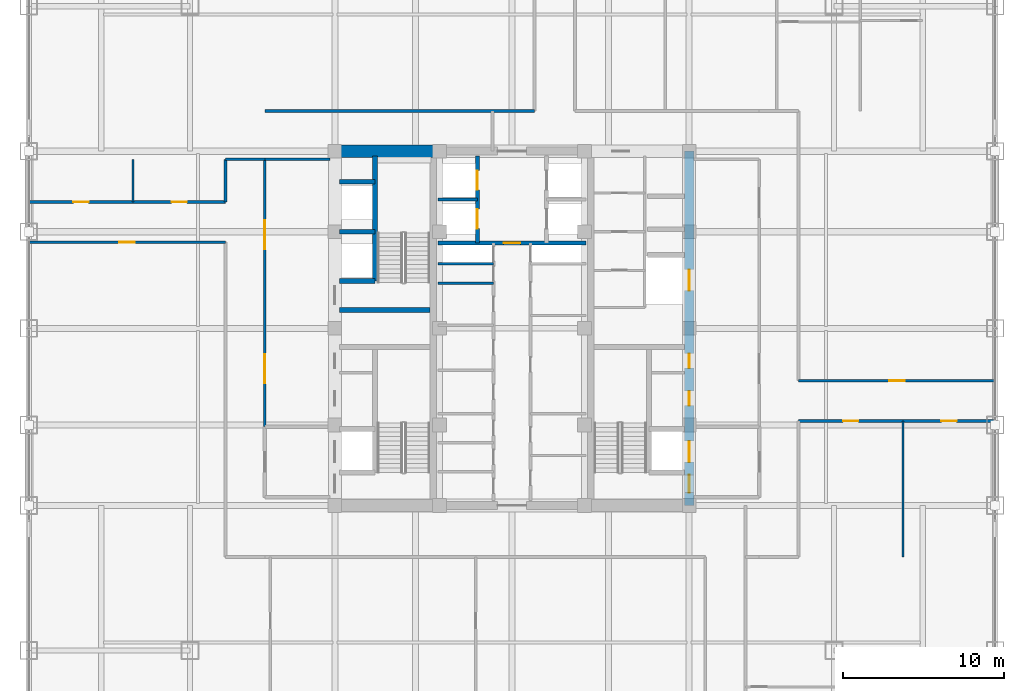
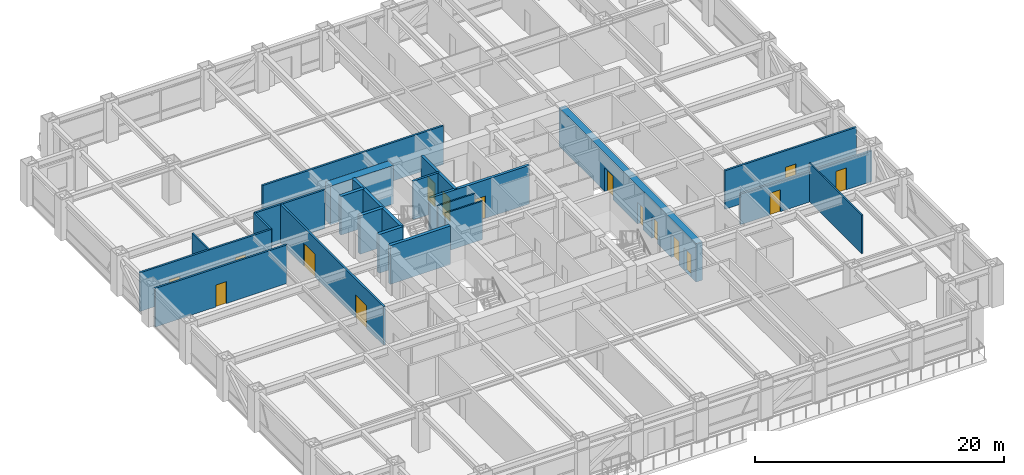
# One storey, part 28 of 35: 23 walls, 16 doors, 16 openings.
"""IFC4 building model written with IfcOpenShell, lengths in metres."""

import ifcopenshell
import ifcopenshell.guid

model = None  # the IFC model being written
_history = None  # IfcOwnerHistory: only IFC2X3 demands one
_inside = {}  # id of a spatial element -> (the spatial element, [elements in it])
_under = {}  # id of a project, library or spatial element -> (it, [spatial elements below it])
_declared = {}  # id of a project -> (the project, [libraries it declares])
_typed = {}  # id of a type object -> (the type object, [elements of that type])
_made_of = {}  # id of a material, layer set ... -> (it, [elements and type objects made of it])


def new_model(schema):
    """Start an empty IFC model of exactly this schema.

    Asked for "IFC4X3", IfcOpenShell would pick the latest addendum, in which some entities
    have other attributes; the version numbers below select the first issue.
    IFC2X3 requires an IfcOwnerHistory on every rooted entity: one is made here for all.
    """
    global model, _history
    if schema == "IFC4X3":
        model = ifcopenshell.file(schema_version=(4, 3, 0, 0))
    else:
        model = ifcopenshell.file(schema=schema)
    _inside.clear()
    _under.clear()
    _declared.clear()
    _typed.clear()
    _made_of.clear()
    _history = None
    if model.schema == "IFC2X3":
        org = make("IfcOrganization", Name="unknown")
        user = make(
            "IfcPersonAndOrganization",
            ThePerson=make("IfcPerson", FamilyName="unknown"),
            TheOrganization=org,
        )
        app = make(
            "IfcApplication",
            ApplicationDeveloper=org,
            Version="unknown",
            ApplicationFullName="unknown",
            ApplicationIdentifier="unknown",
        )
        _history = make(
            "IfcOwnerHistory",
            OwningUser=user,
            OwningApplication=app,
            ChangeAction="ADDED",
            CreationDate=0,
        )
    return model


def make(cls, **values):
    """One entity of the class cls with the attributes given. An attribute that is None is left unset."""
    return model.create_entity(
        cls, **{name: value for name, value in values.items() if value is not None}
    )


def rooted(cls, **values):
    """An entity with a GlobalId (a new one), such as an element, a storey or a relation."""
    return make(cls, GlobalId=ifcopenshell.guid.new(), OwnerHistory=_history, **values)


def si_unit(unit_type, name, prefix=None):
    """IfcSIUnit, for example si_unit("LENGTHUNIT", "METRE", prefix="MILLI")."""
    return make("IfcSIUnit", UnitType=unit_type, Prefix=prefix, Name=name)


def assignment(units):
    """IfcUnitAssignment: the units of a project."""
    return None if units is None else make("IfcUnitAssignment", Units=units)


def point(xyz):
    """IfcCartesianPoint."""
    return None if xyz is None else make("IfcCartesianPoint", Coordinates=xyz)


def direction(xyz):
    """IfcDirection."""
    return None if xyz is None else make("IfcDirection", DirectionRatios=xyz)


def frame(location, z_axis=None, x_axis=None):
    """IfcAxis2Placement3D, a coordinate frame: its origin and axes. An axis left out is left unset."""
    return make(
        "IfcAxis2Placement3D",
        Location=point(location),
        Axis=direction(z_axis),
        RefDirection=direction(x_axis),
    )


def frame_2d(location, x_axis=None):
    """IfcAxis2Placement2D, a coordinate frame in the plane: its origin and x axis."""
    return make(
        "IfcAxis2Placement2D", Location=point(location), RefDirection=direction(x_axis)
    )


def origin():
    """The frame at (0, 0, 0) with its axes left unset."""
    return frame((0.0, 0.0, 0.0))


def place(relative_to, where):
    """IfcLocalPlacement: puts the frame where relative to a parent placement (None: the world)."""
    return make(
        "IfcLocalPlacement", PlacementRelTo=relative_to, RelativePlacement=where
    )


def context(
    kind, dimensions, precision=None, world=None, true_north=None, identifier=None
):
    """IfcGeometricRepresentationContext, for example the 3D "Model" context."""
    return make(
        "IfcGeometricRepresentationContext",
        ContextIdentifier=identifier,
        ContextType=kind,
        CoordinateSpaceDimension=dimensions,
        Precision=precision,
        WorldCoordinateSystem=world,
        TrueNorth=true_north,
    )


def subcontext(parent, identifier, kind, view, scale=None):
    """IfcGeometricRepresentationSubContext, for example "Body" below "Model"."""
    return make(
        "IfcGeometricRepresentationSubContext",
        ContextIdentifier=identifier,
        ContextType=kind,
        ParentContext=parent,
        TargetScale=scale,
        TargetView=view,
    )


def project(units=None, contexts=None):
    """IfcProject with its units and contexts."""
    return rooted(
        "IfcProject",
        Name="project",
        RepresentationContexts=contexts,
        UnitsInContext=assignment(units),
    )


def spatial(cls, under=None, at=None, **own):
    """A site, building, storey or space (cls), placed at a placement, below another one or the project."""
    s = rooted(cls, ObjectPlacement=at, **own)
    if under is not None:
        _under.setdefault(under.id(), (under, []))[1].append(s)
    return s


def profile(cls, at=None, kind="AREA", **sizes):
    """A parametric profile (cls). Its sizes go by their IFC names, for example OverallWidth=200.0."""
    return make(cls, ProfileType=kind, Position=at, **sizes)


def rectangle(**sizes):
    """IfcRectangleProfileDef."""
    return profile("IfcRectangleProfileDef", **sizes)


def extrude(swept, where, along, depth):
    """IfcExtrudedAreaSolid: the profile swept, set in the frame where, extruded along a direction by depth."""
    return make(
        "IfcExtrudedAreaSolid",
        SweptArea=swept,
        Position=where,
        ExtrudedDirection=direction(along),
        Depth=depth,
    )


def shape(context_of_items, identifier, shape_type, items):
    """IfcShapeRepresentation: the items that make up one representation, for example the "Body"."""
    return make(
        "IfcShapeRepresentation",
        ContextOfItems=context_of_items,
        RepresentationIdentifier=identifier,
        RepresentationType=shape_type,
        Items=items,
    )


def source(mapping_origin, context_of_items, identifier, shape_type, items):
    """IfcRepresentationMap: a shape defined once, which mapped items show again and again."""
    return make(
        "IfcRepresentationMap",
        MappingOrigin=mapping_origin,
        MappedRepresentation=shape(context_of_items, identifier, shape_type, items),
    )


def transform(
    local_origin,
    x_axis=None,
    y_axis=None,
    z_axis=None,
    scale=None,
    scale2=None,
    scale3=None,
    uniform=True,
):
    """IfcCartesianTransformationOperator3D, or its non-uniform kind. x_axis, y_axis, z_axis: its Axis1, 2, 3."""
    if uniform:
        return make(
            "IfcCartesianTransformationOperator3D",
            Axis1=direction(x_axis),
            Axis2=direction(y_axis),
            LocalOrigin=point(local_origin),
            Scale=scale,
            Axis3=direction(z_axis),
        )
    return make(
        "IfcCartesianTransformationOperator3DnonUniform",
        Axis1=direction(x_axis),
        Axis2=direction(y_axis),
        LocalOrigin=point(local_origin),
        Scale=scale,
        Axis3=direction(z_axis),
        Scale2=scale2,
        Scale3=scale3,
    )


def mapped(mapping_source, mapping_target):
    """IfcMappedItem: shows the shape of a source again, moved by a transform."""
    return make(
        "IfcMappedItem", MappingSource=mapping_source, MappingTarget=mapping_target
    )


def material(Name=None, Category=None):
    """IfcMaterial."""
    return make("IfcMaterial", Name=Name, Category=Category)


def layer(
    of_material, thickness, ventilated=None, Name=None, Category=None, Priority=None
):
    """IfcMaterialLayer: one layer of a wall or slab, of a material (None: an air gap)."""
    return make(
        "IfcMaterialLayer",
        Material=of_material,
        LayerThickness=thickness,
        IsVentilated=ventilated,
        Name=Name,
        Category=Category,
        Priority=Priority,
    )


def layer_set(layers, Name=None):
    """IfcMaterialLayerSet."""
    return make("IfcMaterialLayerSet", MaterialLayers=layers, LayerSetName=Name)


def made_of(thing, what):
    """Note that an element or type object is made of a material, layer set ...; save() writes the relation."""
    if what is not None:
        _made_of.setdefault(what.id(), (what, []))[1].append(thing)
    return thing


def type_object(cls, material=None, **own):
    """A type object (cls), such as IfcWallType, which elements share."""
    return made_of(rooted(cls, **own), material)


def element(
    cls,
    number,
    at=None,
    inside=None,
    cuts=None,
    type_object=None,
    material=None,
    context=None,
    identifier="Body",
    shape_type=None,
    held_by="IfcProductDefinitionShape",
    body=None,
    shapes=None,
    **own,
):
    """One element of the class cls, such as IfcWall. Its Tag is "e" and its number.

    at: its placement. inside: the storey or other place that contains it. cuts: it is an
    opening in that element (IfcRelVoidsElement). A single representation is given by context,
    identifier, shape_type and body (its items); several are given by shapes. held_by: the class
    of the entity that holds the representations. save() writes the other relations.
    """
    e = rooted(cls, Tag="e%d" % number, ObjectPlacement=at, **own)
    if body is not None:
        shapes = [shape(context, identifier, shape_type, body)]
    if shapes is not None:
        e.Representation = make(held_by, Representations=shapes)
    if inside is not None:
        _inside.setdefault(inside.id(), (inside, []))[1].append(e)
    if cuts is not None:
        rooted(
            "IfcRelVoidsElement", RelatingBuildingElement=cuts, RelatedOpeningElement=e
        )
    if type_object is not None:
        _typed.setdefault(type_object.id(), (type_object, []))[1].append(e)
    return made_of(e, material)


def fill(opening, filler):
    """IfcRelFillsElement: the door or window that sits in an opening."""
    return rooted(
        "IfcRelFillsElement",
        RelatingOpeningElement=opening,
        RelatedBuildingElement=filler,
    )


def aggregate(whole, parts):
    """IfcRelAggregates: a whole, such as a stair, and the parts it consists of."""
    return rooted("IfcRelAggregates", RelatingObject=whole, RelatedObjects=parts)


def save(model, path):
    """Write the relations noted so far, then the file.

    IfcRelAggregates (storeys below a building ...), IfcRelContainedInSpatialStructure (elements
    in a storey), IfcRelDefinesByType, IfcRelAssociatesMaterial and IfcRelDeclares: one each for
    every whole, place, type object, material and project.
    """
    for whole, parts in _under.values():
        aggregate(whole, parts)
    for where, things in _inside.values():
        rooted(
            "IfcRelContainedInSpatialStructure",
            RelatedElements=things,
            RelatingStructure=where,
        )
    for kind, things in _typed.values():
        rooted("IfcRelDefinesByType", RelatedObjects=things, RelatingType=kind)
    for what, things in _made_of.values():
        rooted("IfcRelAssociatesMaterial", RelatedObjects=things, RelatingMaterial=what)
    for by, libraries in _declared.values():
        rooted("IfcRelDeclares", RelatingContext=by, RelatedDefinitions=libraries)
    model.write(path)


model = new_model("IFC4")

# Units and contexts
model_context = context("Model", 3, precision=1e-05, world=origin(), true_north=direction((0.0, 1.0)))
body_context = subcontext(model_context, "Body", "Model", "MODEL_VIEW")
ifc_project = project(units=[si_unit("LENGTHUNIT", "METRE"), si_unit("AREAUNIT", "SQUARE_METRE"), si_unit("VOLUMEUNIT", "CUBIC_METRE"), si_unit("PLANEANGLEUNIT", "RADIAN"), si_unit("MASSUNIT", "GRAM", prefix="KILO")], contexts=[model_context])

# Site, building, storey
site_placement = place(None, origin())
site = spatial("IfcSite", under=ifc_project, at=site_placement, CompositionType="ELEMENT")
building_placement = place(site_placement, origin())
building = spatial("IfcBuilding", under=site, at=building_placement, Name="Khorayat Bourse Tower", CompositionType="ELEMENT")
storey_placement = place(building_placement, frame((0.0, 0.0, 155.10009765625)))
storey = spatial("IfcBuildingStorey", under=building, at=storey_placement, Name="L35", CompositionType="ELEMENT", Elevation=155.10009765625)

# Wall, openings, doors
ifc_material_1 = material(Name="Concrete C60/75", Category="concrete")
ifc_layer_1 = layer(ifc_material_1, 0.60009765625)
ifc_layer_set_1 = layer_set([ifc_layer_1], Name="Concrete C60/75")
wall_type_1 = type_object("IfcWallType", Name="WAL-CORE-600", PredefinedType="SHEAR", material=ifc_layer_set_1)
shared_shape_1 = source(origin(), body_context, "Body", "SweptSolid", [
    extrude(rectangle(XDim=22.0, YDim=0.60009765625, at=frame_2d((11.0, 0.0))), origin(), (0.0, 0.0, 1.0), 3.77978515625),
])
wall_1_placement = place(storey_placement, frame((11.0, -11.0, 0.0), z_axis=(0.0, 0.0, 1.0), x_axis=(0.0, 1.0, 0.0)))
wall_1 = element("IfcWall", 1, at=wall_1_placement, inside=storey, type_object=wall_type_1, Name="L35 Core Shear Wall CORE-E", PredefinedType="SHEAR", context=body_context, shape_type="MappedRepresentation", body=[
    mapped(shared_shape_1, transform((0.0, 0.0, 0.0), scale=1.0)),
])
shared_shape_2 = source(origin(), body_context, "Body", "SweptSolid", [
    extrude(rectangle(XDim=1.10009765625, YDim=2.199951171875, at=frame_2d((0.550048828125, 1.10009765625))), frame((0.0, 0.31005859375, 0.0), z_axis=(0.0, -1.0, 0.0), x_axis=(1.0, 0.0, 0.0)), (0.0, 0.0, 1.0), 0.6201171875),
])
opening_1_placement = place(wall_1_placement, frame((0.800048828125, 0.0, 0.0)))
opening_1 = element("IfcOpeningElement", 2, at=opening_1_placement, cuts=wall_1, Name="Opening DI-01", PredefinedType="OPENING", context=body_context, shape_type="MappedRepresentation", body=[
    mapped(shared_shape_2, transform((0.0, 0.0, 0.0), scale=1.0)),
])
shared_shape_3 = source(origin(), body_context, "Body", "SweptSolid", [
    extrude(rectangle(XDim=0.89990234375, YDim=2.14990234375, at=frame_2d((0.449951171875, 1.074951171875))), frame((0.0, 0.31005859375, 0.0), z_axis=(0.0, -1.0, 0.0), x_axis=(1.0, 0.0, 0.0)), (0.0, 0.0, 1.0), 0.6201171875),
])
opening_2_placement = place(wall_1_placement, frame((6.199951171875, 0.0, 0.0)))
opening_2 = element("IfcOpeningElement", 3, at=opening_2_placement, cuts=wall_1, Name="Opening DI-06", PredefinedType="OPENING", context=body_context, shape_type="MappedRepresentation", body=[
    mapped(shared_shape_3, transform((0.0, 0.0, 0.0), scale=1.0)),
])
opening_3_placement = place(wall_1_placement, frame((8.52490234375, 0.0, 0.0)))
opening_3 = element("IfcOpeningElement", 4, at=opening_3_placement, cuts=wall_1, Name="Opening DI-06", PredefinedType="OPENING", context=body_context, shape_type="MappedRepresentation", body=[
    mapped(shared_shape_3, transform((0.0, 0.0, 0.0), scale=1.0)),
])
shared_shape_4 = source(origin(), body_context, "Body", "SweptSolid", [
    extrude(rectangle(XDim=1.300048828125, YDim=2.300048828125, at=frame_2d((0.64990234375, 1.14990234375))), frame((0.0, 0.31005859375, 0.0), z_axis=(0.0, -1.0, 0.0), x_axis=(1.0, 0.0, 0.0)), (0.0, 0.0, 1.0), 0.6201171875),
])
opening_4_placement = place(wall_1_placement, frame((2.699951171875, 0.0, 0.0)))
opening_4 = element("IfcOpeningElement", 5, at=opening_4_placement, cuts=wall_1, Name="Opening LD-02", PredefinedType="OPENING", context=body_context, shape_type="MappedRepresentation", body=[
    mapped(shared_shape_4, transform((0.0, 0.0, 0.0), scale=1.0)),
])
opening_5_placement = place(wall_1_placement, frame((13.35009765625, 0.0, 0.0)))
opening_5 = element("IfcOpeningElement", 6, at=opening_5_placement, cuts=wall_1, Name="Opening LD-02", PredefinedType="OPENING", context=body_context, shape_type="MappedRepresentation", body=[
    mapped(shared_shape_4, transform((0.0, 0.0, 0.0), scale=1.0)),
])
ifc_material_2 = material(Name="Fire-rated steel acoustic leaf", Category="steel")
door_type_1 = type_object("IfcDoorType", Name="DR-INT-STAIR-1100", OperationType="NOTDEFINED", PredefinedType="DOOR", material=ifc_material_2)
shared_shape_5 = source(origin(), body_context, "Body", "SweptSolid", [
    extrude(rectangle(XDim=1.10009765625, YDim=2.199951171875, at=frame_2d((0.550048828125, 1.10009765625))), frame((0.0, 0.02490234375, 0.0), z_axis=(0.0, -1.0, 0.0), x_axis=(1.0, 0.0, 0.0)), (0.0, 0.0, 1.0), 0.050048828125),
])
door_1_placement = place(opening_1_placement, origin())
door_1 = element("IfcDoor", 7, at=door_1_placement, inside=storey, type_object=door_type_1, Name="L35 Exit Stair 3 Door", OperationType="SINGLE_SWING_LEFT", OverallHeight=2.199951171875, OverallWidth=1.10009765625, PredefinedType="DOOR", context=body_context, shape_type="MappedRepresentation", body=[
    mapped(shared_shape_5, transform((0.0, 0.0, 0.0), scale=1.0)),
])
fill(opening_1, door_1)
ifc_material_3 = material(Name="Moisture-resistant laminate washroom door")
door_type_2 = type_object("IfcDoorType", Name="DR-INT-WC-900", OperationType="NOTDEFINED", PredefinedType="DOOR", material=ifc_material_3)
shared_shape_6 = source(origin(), body_context, "Body", "SweptSolid", [
    extrude(rectangle(XDim=0.89990234375, YDim=2.14990234375, at=frame_2d((0.449951171875, 1.074951171875))), frame((0.0, 0.02490234375, 0.0), z_axis=(0.0, -1.0, 0.0), x_axis=(1.0, 0.0, 0.0)), (0.0, 0.0, 1.0), 0.050048828125),
])
door_2_placement = place(opening_2_placement, origin())
door_2 = element("IfcDoor", 8, at=door_2_placement, inside=storey, type_object=door_type_2, Name="L35 Telecom Closet Door", OperationType="SINGLE_SWING_LEFT", OverallHeight=2.14990234375, OverallWidth=0.89990234375, PredefinedType="DOOR", context=body_context, shape_type="MappedRepresentation", body=[
    mapped(shared_shape_6, transform((0.0, 0.0, 0.0), scale=1.0)),
])
fill(opening_2, door_2)
door_3_placement = place(opening_3_placement, origin())
door_3 = element("IfcDoor", 9, at=door_3_placement, inside=storey, type_object=door_type_2, Name="L35 Stationery Store Door", OperationType="SINGLE_SWING_RIGHT", OverallHeight=2.14990234375, OverallWidth=0.89990234375, PredefinedType="DOOR", context=body_context, shape_type="MappedRepresentation", body=[
    mapped(shared_shape_6, transform((0.0, 0.0, 0.0), scale=1.0)),
])
fill(opening_3, door_3)
ifc_material_4 = material(Name="Fire-rated stainless-steel sliding landing door", Category="steel")
door_type_3 = type_object("IfcDoorType", Name="DR-LIFT-FF-1300", OperationType="NOTDEFINED", PredefinedType="DOOR", material=ifc_material_4)
shared_shape_7 = source(origin(), body_context, "Body", "SweptSolid", [
    extrude(rectangle(XDim=1.300048828125, YDim=2.300048828125, at=frame_2d((0.64990234375, 1.14990234375))), frame((0.0, 0.02490234375, 0.0), z_axis=(0.0, -1.0, 0.0), x_axis=(1.0, 0.0, 0.0)), (0.0, 0.0, 1.0), 0.050048828125),
])
door_4_placement = place(opening_4_placement, origin())
door_4 = element("IfcDoor", 10, at=door_4_placement, inside=storey, type_object=door_type_3, Name="L35 Lift FFL-02 Sliding Landing Door", OperationType="SLIDING_TO_LEFT", OverallHeight=2.300048828125, OverallWidth=1.300048828125, PredefinedType="DOOR", context=body_context, shape_type="MappedRepresentation", body=[
    mapped(shared_shape_7, transform((0.0, 0.0, 0.0), scale=1.0)),
])
fill(opening_4, door_4)
door_5_placement = place(opening_5_placement, origin())
door_5 = element("IfcDoor", 11, at=door_5_placement, inside=storey, type_object=door_type_3, Name="L35 Lift SVL-01 Sliding Landing Door", OperationType="SLIDING_TO_LEFT", OverallHeight=2.300048828125, OverallWidth=1.300048828125, PredefinedType="DOOR", context=body_context, shape_type="MappedRepresentation", body=[
    mapped(shared_shape_7, transform((0.0, 0.0, 0.0), scale=1.0)),
])
fill(opening_5, door_5)

# Walls
ifc_material_5 = material(Name="Concrete C72/90", Category="concrete")
ifc_layer_2 = layer(ifc_material_5, 0.75)
ifc_layer_set_2 = layer_set([ifc_layer_2], Name="Concrete C72/90")
wall_type_2 = type_object("IfcWallType", Name="WAL-CORE-750", PredefinedType="SHEAR", material=ifc_layer_set_2)
shared_shape_8 = source(origin(), body_context, "Body", "SweptSolid", [
    extrude(rectangle(XDim=5.849853515625, YDim=0.75, at=frame_2d((2.9248046875, 0.0))), origin(), (0.0, 0.0, 1.0), 3.77978515625),
])
wall_2_placement = place(storey_placement, frame((-10.699951171875, 11.0, 0.0), z_axis=(0.0, 0.0, 1.0), x_axis=(1.0, 0.0, 0.0)))
element("IfcWall", 12, at=wall_2_placement, inside=storey, type_object=wall_type_2, Name="L35 Core Shear Wall PIER-WN", PredefinedType="SHEAR", context=body_context, shape_type="MappedRepresentation", body=[
    mapped(shared_shape_8, transform((0.0, 0.0, 0.0), scale=1.0)),
])
ifc_material_6 = material(Name="Concrete C50/60", Category="concrete")
ifc_layer_3 = layer(ifc_material_6, 0.300048828125)
ifc_layer_set_3 = layer_set([ifc_layer_3], Name="Concrete C50/60")
wall_type_3 = type_object("IfcWallType", Name="WAL-SHAFT-300", PredefinedType="SHEAR", material=ifc_layer_set_3)
shared_shape_9 = source(origin(), body_context, "Body", "SweptSolid", [
    extrude(rectangle(XDim=5.599853515625, YDim=0.300048828125, at=frame_2d((2.7998046875, 0.0))), origin(), (0.0, 0.0, 1.0), 3.77978515625),
])
wall_3_placement = place(storey_placement, frame((-10.699951171875, 1.14990234375, 0.0), z_axis=(0.0, 0.0, 1.0), x_axis=(1.0, 0.0, 0.0)))
element("IfcWall", 13, at=wall_3_placement, inside=storey, type_object=wall_type_3, Name="L35 Core Shear Wall ST2-DIV", PredefinedType="SHEAR", context=body_context, shape_type="MappedRepresentation", body=[
    mapped(shared_shape_9, transform((0.0, 0.0, 0.0), scale=1.0)),
])
shared_shape_10 = source(origin(), body_context, "Body", "SweptSolid", [
    extrude(rectangle(XDim=2.199951171875, YDim=0.300048828125, at=frame_2d((1.10009765625, 0.0))), origin(), (0.0, 0.0, 1.0), 3.77978515625),
])
for number, where, z_axis, x_axis, name in (
    (14, (-10.699951171875, 2.949951171875, 0.0), (0.0, 0.0, 1.0), (1.0, 0.0, 0.0), "L35 Partition WAL-L35-WPIER-H1S"),
    (15, (-10.699951171875, 6.0, 0.0), (0.0, 0.0, 1.0), (1.0, 0.0, 0.0), "L35 Partition WAL-L35-WPIER-H12"),
    (16, (-10.699951171875, 9.10009765625, 0.0), (0.0, 0.0, 1.0), (1.0, 0.0, 0.0), "L35 Partition WAL-L35-WPIER-H2N"),
):
    element("IfcWall", number, at=place(storey_placement, frame(where, z_axis=z_axis, x_axis=x_axis)), inside=storey, type_object=wall_type_3, Name=name, PredefinedType="SHEAR", context=body_context, shape_type="MappedRepresentation", body=[
        mapped(shared_shape_10, transform((0.0, 0.0, 0.0), scale=1.0)),
    ])
shared_shape_11 = source(origin(), body_context, "Body", "SweptSolid", [
    extrude(rectangle(XDim=7.75, YDim=0.300048828125, at=frame_2d((3.875, 0.0))), origin(), (0.0, 0.0, 1.0), 3.77978515625),
])
wall_4_placement = place(storey_placement, frame((-8.5, 2.949951171875, 0.0), z_axis=(0.0, 0.0, 1.0), x_axis=(0.0, 1.0, 0.0)))
element("IfcWall", 17, at=wall_4_placement, inside=storey, type_object=wall_type_3, Name="L35 Partition WAL-L35-WPIER-ST2S", PredefinedType="SHEAR", context=body_context, shape_type="MappedRepresentation", body=[
    mapped(shared_shape_11, transform((0.0, 0.0, 0.0), scale=1.0)),
])
ifc_material_7 = material(Name="Gypsum plasterboard acoustic stud wall")
ifc_layer_4 = layer(ifc_material_7, 0.179931640625)
ifc_layer_set_4 = layer_set([ifc_layer_4], Name="Gypsum plasterboard acoustic stud wall")
wall_type_4 = type_object("IfcWallType", Name="WAL-PART-CORR-180", PredefinedType="PARTITIONING", material=ifc_layer_set_4)
shared_shape_12 = source(origin(), body_context, "Body", "SweptSolid", [
    extrude(rectangle(XDim=4.050048828125, YDim=0.179931640625, at=frame_2d((2.02490234375, 0.0))), origin(), (0.0, 0.0, 1.0), 3.77978515625),
])
wall_5_placement = place(storey_placement, frame((-15.35009765625, 10.5, 0.0), z_axis=(0.0, 0.0, 1.0), x_axis=(1.0, 0.0, 0.0)))
element("IfcWall", 18, at=wall_5_placement, inside=storey, type_object=wall_type_4, Name="L35 Partition WAL-L35-WLOB-N", PredefinedType="PARTITIONING", context=body_context, shape_type="MappedRepresentation", body=[
    mapped(shared_shape_12, transform((0.0, 0.0, 0.0), scale=1.0)),
])

# Wall, openings, doors
shared_shape_13 = source(origin(), body_context, "Body", "SweptSolid", [
    extrude(rectangle(XDim=16.60009765625, YDim=0.179931640625, at=frame_2d((8.300048828125, 0.0))), origin(), (0.0, 0.0, 1.0), 3.77978515625),
])
wall_6_placement = place(storey_placement, frame((-15.35009765625, -6.10009765625, 0.0), z_axis=(0.0, 0.0, 1.0), x_axis=(0.0, 1.0, 0.0)))
wall_6 = element("IfcWall", 19, at=wall_6_placement, inside=storey, type_object=wall_type_4, Name="L35 Partition WAL-L35-WLOB-W", PredefinedType="PARTITIONING", context=body_context, shape_type="MappedRepresentation", body=[
    mapped(shared_shape_13, transform((0.0, 0.0, 0.0), scale=1.0)),
])
shared_shape_14 = source(origin(), body_context, "Body", "SweptSolid", [
    extrude(rectangle(XDim=1.800048828125, YDim=2.25, at=frame_2d((0.89990234375, 1.125))), frame((0.0, 0.099853515625, 0.0), z_axis=(0.0, -1.0, 0.0), x_axis=(1.0, 0.0, 0.0)), (0.0, 0.0, 1.0), 0.199951171875),
])
opening_6_placement = place(wall_6_placement, frame((2.699951171875, 0.0, 0.0)))
opening_6 = element("IfcOpeningElement", 20, at=opening_6_placement, cuts=wall_6, Name="Opening DI-03", PredefinedType="OPENING", context=body_context, shape_type="MappedRepresentation", body=[
    mapped(shared_shape_14, transform((0.0, 0.0, 0.0), scale=1.0)),
])
opening_7_placement = place(wall_6_placement, frame((11.0, 0.0, 0.0)))
opening_7 = element("IfcOpeningElement", 21, at=opening_7_placement, cuts=wall_6, Name="Opening DI-03", PredefinedType="OPENING", context=body_context, shape_type="MappedRepresentation", body=[
    mapped(shared_shape_14, transform((0.0, 0.0, 0.0), scale=1.0)),
])
ifc_material_8 = material(Name="Fire-rated hardwood vision-panel double leaf", Category="wood")
door_type_4 = type_object("IfcDoorType", Name="DR-INT-CORR-1800", OperationType="NOTDEFINED", PredefinedType="DOOR", material=ifc_material_8)
shared_shape_15 = source(origin(), body_context, "Body", "SweptSolid", [
    extrude(rectangle(XDim=1.800048828125, YDim=2.25, at=frame_2d((0.89990234375, 1.125))), frame((0.0, 0.02490234375, 0.0), z_axis=(0.0, -1.0, 0.0), x_axis=(1.0, 0.0, 0.0)), (0.0, 0.0, 1.0), 0.050048828125),
])
door_6_placement = place(opening_6_placement, origin())
door_6 = element("IfcDoor", 22, at=door_6_placement, inside=storey, type_object=door_type_4, Name="L35 West Core Lobby South Door", OperationType="SINGLE_SWING_LEFT", OverallHeight=2.25, OverallWidth=1.800048828125, PredefinedType="DOOR", context=body_context, shape_type="MappedRepresentation", body=[
    mapped(shared_shape_15, transform((0.0, 0.0, 0.0), scale=1.0)),
])
fill(opening_6, door_6)
door_7_placement = place(opening_7_placement, origin())
door_7 = element("IfcDoor", 23, at=door_7_placement, inside=storey, type_object=door_type_4, Name="L35 West Core Lobby North Door", OperationType="SINGLE_SWING_RIGHT", OverallHeight=2.25, OverallWidth=1.800048828125, PredefinedType="DOOR", context=body_context, shape_type="MappedRepresentation", body=[
    mapped(shared_shape_15, transform((0.0, 0.0, 0.0), scale=1.0)),
])
fill(opening_7, door_7)

# Walls
ifc_material_9 = material(Name="Gypsum plasterboard twin-frame partition")
ifc_layer_5 = layer(ifc_material_9, 0.14990234375)
ifc_layer_set_5 = layer_set([ifc_layer_5], Name="Gypsum plasterboard twin-frame partition")
wall_type_5 = type_object("IfcWallType", Name="WAL-PART-SUITE-150", PredefinedType="PARTITIONING", material=ifc_layer_set_5)
shared_shape_16 = source(origin(), body_context, "Body", "SweptSolid", [
    extrude(rectangle(XDim=3.4501953125, YDim=0.14990234375, at=frame_2d((1.72509765625, 0.0))), origin(), (0.0, 0.0, 1.0), 3.77978515625),
])
wall_7_placement = place(storey_placement, frame((-4.60009765625, 4.0, 0.0), z_axis=(0.0, 0.0, 1.0), x_axis=(1.0, 0.0, 0.0)))
element("IfcWall", 24, at=wall_7_placement, inside=storey, type_object=wall_type_5, Name="L35 Partition WAL-L35-CRSW-S", PredefinedType="PARTITIONING", context=body_context, shape_type="MappedRepresentation", body=[
    mapped(shared_shape_16, transform((0.0, 0.0, 0.0), scale=1.0)),
])
ifc_material_10 = material(Name="Moisture-resistant masonry partition", Category="masonry")
ifc_layer_6 = layer(ifc_material_10, 0.139892578125)
ifc_layer_set_6 = layer_set([ifc_layer_6], Name="Moisture-resistant masonry partition")
wall_type_6 = type_object("IfcWallType", Name="WAL-PART-WET-140", PredefinedType="PARTITIONING", material=ifc_layer_set_6)
shared_shape_17 = source(origin(), body_context, "Body", "SweptSolid", [
    extrude(rectangle(XDim=3.4501953125, YDim=0.139892578125, at=frame_2d((1.72509765625, 0.0))), origin(), (0.0, 0.0, 1.0), 3.77978515625),
])
wall_8_placement = place(storey_placement, frame((-4.60009765625, 2.800048828125, 0.0), z_axis=(0.0, 0.0, 1.0), x_axis=(1.0, 0.0, 0.0)))
element("IfcWall", 25, at=wall_8_placement, inside=storey, type_object=wall_type_6, Name="L35 Partition WAL-L35-CMW-D3", PredefinedType="PARTITIONING", context=body_context, shape_type="MappedRepresentation", body=[
    mapped(shared_shape_17, transform((0.0, 0.0, 0.0), scale=1.0)),
])

# Wall, openings, doors
shared_shape_18 = source(origin(), body_context, "Body", "SweptSolid", [
    extrude(rectangle(XDim=5.39990234375, YDim=0.25, at=frame_2d((2.699951171875, 0.0))), origin(), (0.0, 0.0, 1.0), 3.77978515625),
])
wall_9_placement = place(storey_placement, frame((-2.14990234375, 5.300048828125, 0.0), z_axis=(0.0, 0.0, 1.0), x_axis=(0.0, 1.0, 0.0)))
wall_9 = element("IfcWall", 26, at=wall_9_placement, inside=storey, type_object=wall_type_3, Name="L35 Partition WAL-L35-B2-W", PredefinedType="SHEAR", context=body_context, shape_type="MappedRepresentation", body=[
    mapped(shared_shape_18, transform((0.0, 0.0, 0.0), scale=1.0)),
])
shared_shape_19 = source(origin(), body_context, "Body", "SweptSolid", [
    extrude(rectangle(XDim=1.199951171875, YDim=2.300048828125, at=frame_2d((0.60009765625, 1.14990234375))), frame((0.0, 0.135009765625, 0.0), z_axis=(0.0, -1.0, 0.0), x_axis=(1.0, 0.0, 0.0)), (0.0, 0.0, 1.0), 0.27001953125),
])
opening_8_placement = place(wall_9_placement, frame((3.300048828125, 0.0, 0.0)))
opening_8 = element("IfcOpeningElement", 27, at=opening_8_placement, cuts=wall_9, Name="Opening LD-01", PredefinedType="OPENING", context=body_context, shape_type="MappedRepresentation", body=[
    mapped(shared_shape_19, transform((0.0, 0.0, 0.0), scale=1.0)),
])
opening_9_placement = place(wall_9_placement, frame((0.89990234375, 0.0, 0.0)))
opening_9 = element("IfcOpeningElement", 28, at=opening_9_placement, cuts=wall_9, Name="Opening LD-01", PredefinedType="OPENING", context=body_context, shape_type="MappedRepresentation", body=[
    mapped(shared_shape_19, transform((0.0, 0.0, 0.0), scale=1.0)),
])
ifc_material_11 = material(Name="Brushed bronze stainless-steel sliding door", Category="steel")
door_type_5 = type_object("IfcDoorType", Name="DR-LIFT-PASS-1200", OperationType="NOTDEFINED", PredefinedType="DOOR", material=ifc_material_11)
shared_shape_20 = source(origin(), body_context, "Body", "SweptSolid", [
    extrude(rectangle(XDim=1.199951171875, YDim=2.300048828125, at=frame_2d((0.60009765625, 1.14990234375))), frame((0.0, 0.02490234375, 0.0), z_axis=(0.0, -1.0, 0.0), x_axis=(1.0, 0.0, 0.0)), (0.0, 0.0, 1.0), 0.050048828125),
])
door_8_placement = place(opening_8_placement, origin())
door_8 = element("IfcDoor", 29, at=door_8_placement, inside=storey, type_object=door_type_5, Name="L35 Lift PL-M1 Sliding Landing Door", OperationType="SLIDING_TO_LEFT", OverallHeight=2.300048828125, OverallWidth=1.199951171875, PredefinedType="DOOR", context=body_context, shape_type="MappedRepresentation", body=[
    mapped(shared_shape_20, transform((0.0, 0.0, 0.0), scale=1.0)),
])
fill(opening_8, door_8)
door_9_placement = place(opening_9_placement, origin())
door_9 = element("IfcDoor", 30, at=door_9_placement, inside=storey, type_object=door_type_5, Name="L35 Lift PL-M3 Sliding Landing Door", OperationType="SLIDING_TO_LEFT", OverallHeight=2.300048828125, OverallWidth=1.199951171875, PredefinedType="DOOR", context=body_context, shape_type="MappedRepresentation", body=[
    mapped(shared_shape_20, transform((0.0, 0.0, 0.0), scale=1.0)),
])
fill(opening_9, door_9)

# Wall
shared_shape_21 = source(origin(), body_context, "Body", "SweptSolid", [
    extrude(rectangle(XDim=2.4501953125, YDim=0.199951171875, at=frame_2d((1.22509765625, 0.0))), origin(), (0.0, 0.0, 1.0), 3.77978515625),
])
wall_10_placement = place(storey_placement, frame((-4.60009765625, 8.0, 0.0), z_axis=(0.0, 0.0, 1.0), x_axis=(1.0, 0.0, 0.0)))
element("IfcWall", 31, at=wall_10_placement, inside=storey, type_object=wall_type_3, Name="L35 Partition WAL-L35-B2-MW", PredefinedType="SHEAR", context=body_context, shape_type="MappedRepresentation", body=[
    mapped(shared_shape_21, transform((0.0, 0.0, 0.0), scale=1.0)),
])

# Wall, opening, door
shared_shape_22 = source(origin(), body_context, "Body", "SweptSolid", [
    extrude(rectangle(XDim=9.2001953125, YDim=0.25, at=frame_2d((4.60009765625, 0.0))), origin(), (0.0, 0.0, 1.0), 3.77978515625),
])
wall_11_placement = place(storey_placement, frame((-4.60009765625, 5.300048828125, 0.0), z_axis=(0.0, 0.0, 1.0), x_axis=(1.0, 0.0, 0.0)))
wall_11 = element("IfcWall", 32, at=wall_11_placement, inside=storey, type_object=wall_type_3, Name="L35 Partition WAL-L35-B2-S", PredefinedType="SHEAR", context=body_context, shape_type="MappedRepresentation", body=[
    mapped(shared_shape_22, transform((0.0, 0.0, 0.0), scale=1.0)),
])
shared_shape_23 = source(origin(), body_context, "Body", "SweptSolid", [
    extrude(rectangle(XDim=1.050048828125, YDim=2.199951171875, at=frame_2d((0.52490234375, 1.10009765625))), frame((0.0, 0.135009765625, 0.0), z_axis=(0.0, -1.0, 0.0), x_axis=(1.0, 0.0, 0.0)), (0.0, 0.0, 1.0), 0.27001953125),
])
opening_10_placement = place(wall_11_placement, frame((4.074951171875, 0.0, 0.0)))
opening_10 = element("IfcOpeningElement", 33, at=opening_10_placement, cuts=wall_11, Name="Opening DI-04", PredefinedType="OPENING", context=body_context, shape_type="MappedRepresentation", body=[
    mapped(shared_shape_23, transform((0.0, 0.0, 0.0), scale=1.0)),
])
ifc_material_12 = material(Name="Fire-rated oak veneer suite entrance door")
door_type_6 = type_object("IfcDoorType", Name="DR-INT-SUITE-1050", OperationType="NOTDEFINED", PredefinedType="DOOR", material=ifc_material_12)
shared_shape_24 = source(origin(), body_context, "Body", "SweptSolid", [
    extrude(rectangle(XDim=1.050048828125, YDim=2.199951171875, at=frame_2d((0.52490234375, 1.10009765625))), frame((0.0, 0.02490234375, 0.0), z_axis=(0.0, -1.0, 0.0), x_axis=(1.0, 0.0, 0.0)), (0.0, 0.0, 1.0), 0.050048828125),
])
door_10_placement = place(opening_10_placement, origin())
door_10 = element("IfcDoor", 34, at=door_10_placement, inside=storey, type_object=door_type_6, Name="L35 Core Spine North Door", OperationType="SINGLE_SWING_RIGHT", OverallHeight=2.199951171875, OverallWidth=1.050048828125, PredefinedType="DOOR", context=body_context, shape_type="MappedRepresentation", body=[
    mapped(shared_shape_24, transform((0.0, 0.0, 0.0), scale=1.0)),
])
fill(opening_10, door_10)

# Walls
shared_shape_25 = source(origin(), body_context, "Body", "SweptSolid", [
    extrude(rectangle(XDim=2.449951171875, YDim=0.179931640625, at=frame_2d((1.22509765625, 0.0))), origin(), (0.0, 0.0, 1.0), 3.77978515625),
])
wall_12_placement = place(storey_placement, frame((-17.800048828125, 10.5, 0.0), z_axis=(0.0, 0.0, 1.0), x_axis=(1.0, 0.0, 0.0)))
element("IfcWall", 35, at=wall_12_placement, inside=storey, type_object=wall_type_4, Name="L35 Partition WAL-L35-C2-WN", PredefinedType="PARTITIONING", context=body_context, shape_type="MappedRepresentation", body=[
    mapped(shared_shape_25, transform((0.0, 0.0, 0.0), scale=1.0)),
])
shared_shape_26 = source(origin(), body_context, "Body", "SweptSolid", [
    extrude(rectangle(XDim=16.75, YDim=0.179931640625, at=frame_2d((8.375, 0.0))), origin(), (0.0, 0.0, 1.0), 3.77978515625),
])
wall_13_placement = place(storey_placement, frame((-15.35009765625, 13.5, 0.0), z_axis=(0.0, 0.0, 1.0), x_axis=(1.0, 0.0, 0.0)))
element("IfcWall", 36, at=wall_13_placement, inside=storey, type_object=wall_type_4, Name="L35 Partition WAL-L35-QNW-HC", PredefinedType="PARTITIONING", context=body_context, shape_type="MappedRepresentation", body=[
    mapped(shared_shape_26, transform((0.0, 0.0, 0.0), scale=1.0)),
])

# Wall, opening, door
shared_shape_27 = source(origin(), body_context, "Body", "SweptSolid", [
    extrude(rectangle(XDim=12.199951171875, YDim=0.179931640625, at=frame_2d((6.10009765625, 0.0))), origin(), (0.0, 0.0, 1.0), 3.77978515625),
])
wall_14_placement = place(storey_placement, frame((-30.0, 5.35009765625, 0.0), z_axis=(0.0, 0.0, 1.0), x_axis=(1.0, 0.0, 0.0)))
wall_14 = element("IfcWall", 37, at=wall_14_placement, inside=storey, type_object=wall_type_4, Name="L35 Partition WAL-L35-WS-SPK", PredefinedType="PARTITIONING", context=body_context, shape_type="MappedRepresentation", body=[
    mapped(shared_shape_27, transform((0.0, 0.0, 0.0), scale=1.0)),
])
shared_shape_28 = source(origin(), body_context, "Body", "SweptSolid", [
    extrude(rectangle(XDim=0.949951171875, YDim=2.14990234375, at=frame_2d((0.47509765625, 1.074951171875))), frame((0.0, 0.099853515625, 0.0), z_axis=(0.0, -1.0, 0.0), x_axis=(1.0, 0.0, 0.0)), (0.0, 0.0, 1.0), 0.199951171875),
])
opening_11_placement = place(wall_14_placement, frame((5.625, 0.0, 0.0)))
opening_11 = element("IfcOpeningElement", 38, at=opening_11_placement, cuts=wall_14, Name="Opening DI-05", PredefinedType="OPENING", context=body_context, shape_type="MappedRepresentation", body=[
    mapped(shared_shape_28, transform((0.0, 0.0, 0.0), scale=1.0)),
])
ifc_material_13 = material(Name="Acoustic oak veneer office door")
door_type_7 = type_object("IfcDoorType", Name="DR-INT-OFFICE-950", OperationType="NOTDEFINED", PredefinedType="DOOR", material=ifc_material_13)
shared_shape_29 = source(origin(), body_context, "Body", "SweptSolid", [
    extrude(rectangle(XDim=0.949951171875, YDim=2.14990234375, at=frame_2d((0.47509765625, 1.074951171875))), frame((0.0, 0.02490234375, 0.0), z_axis=(0.0, -1.0, 0.0), x_axis=(1.0, 0.0, 0.0)), (0.0, 0.0, 1.0), 0.050048828125),
])
door_11_placement = place(opening_11_placement, origin())
door_11 = element("IfcDoor", 39, at=door_11_placement, inside=storey, type_object=door_type_7, Name="L35 Clearing Operations Office WS Door", OperationType="SINGLE_SWING_LEFT", OverallHeight=2.14990234375, OverallWidth=0.949951171875, PredefinedType="DOOR", context=body_context, shape_type="MappedRepresentation", body=[
    mapped(shared_shape_29, transform((0.0, 0.0, 0.0), scale=1.0)),
])
fill(opening_11, door_11)

# Wall, openings, doors
wall_15_placement = place(storey_placement, frame((-30.0, 7.85009765625, 0.0), z_axis=(0.0, 0.0, 1.0), x_axis=(1.0, 0.0, 0.0)))
wall_15 = element("IfcWall", 40, at=wall_15_placement, inside=storey, type_object=wall_type_4, Name="L35 Partition WAL-L35-WN-SPK", PredefinedType="PARTITIONING", context=body_context, shape_type="MappedRepresentation", body=[
    mapped(shared_shape_27, transform((0.0, 0.0, 0.0), scale=1.0)),
])
opening_12_placement = place(wall_15_placement, frame((2.758056640625, 0.0, 0.0)))
opening_12 = element("IfcOpeningElement", 41, at=opening_12_placement, cuts=wall_15, Name="Opening DI-05", PredefinedType="OPENING", context=body_context, shape_type="MappedRepresentation", body=[
    mapped(shared_shape_28, transform((0.0, 0.0, 0.0), scale=1.0)),
])
opening_13_placement = place(wall_15_placement, frame((8.85791015625, 0.0, 0.0)))
opening_13 = element("IfcOpeningElement", 42, at=opening_13_placement, cuts=wall_15, Name="Opening DI-05", PredefinedType="OPENING", context=body_context, shape_type="MappedRepresentation", body=[
    mapped(shared_shape_28, transform((0.0, 0.0, 0.0), scale=1.0)),
])
door_12_placement = place(opening_12_placement, origin())
door_12 = element("IfcDoor", 43, at=door_12_placement, inside=storey, type_object=door_type_7, Name="L35 Market Risk Analytics Workspace WNA Door", OperationType="SINGLE_SWING_LEFT", OverallHeight=2.14990234375, OverallWidth=0.949951171875, PredefinedType="DOOR", context=body_context, shape_type="MappedRepresentation", body=[
    mapped(shared_shape_29, transform((0.0, 0.0, 0.0), scale=1.0)),
])
fill(opening_12, door_12)
door_13_placement = place(opening_13_placement, origin())
door_13 = element("IfcDoor", 44, at=door_13_placement, inside=storey, type_object=door_type_7, Name="L35 Occupational First Aid Clinic WNB Door", OperationType="SINGLE_SWING_RIGHT", OverallHeight=2.14990234375, OverallWidth=0.949951171875, PredefinedType="DOOR", context=body_context, shape_type="MappedRepresentation", body=[
    mapped(shared_shape_29, transform((0.0, 0.0, 0.0), scale=1.0)),
])
fill(opening_13, door_13)

# Wall, opening, door
wall_16_placement = place(storey_placement, frame((17.800048828125, -3.25, 0.0), z_axis=(0.0, 0.0, 1.0), x_axis=(1.0, 0.0, 0.0)))
wall_16 = element("IfcWall", 45, at=wall_16_placement, inside=storey, type_object=wall_type_4, Name="L35 Partition WAL-L35-EN-SPK", PredefinedType="PARTITIONING", context=body_context, shape_type="MappedRepresentation", body=[
    mapped(shared_shape_27, transform((0.0, 0.0, 0.0), scale=1.0)),
])
opening_14_placement = place(wall_16_placement, frame((5.625, 0.0, 0.0)))
opening_14 = element("IfcOpeningElement", 46, at=opening_14_placement, cuts=wall_16, Name="Opening DI-05", PredefinedType="OPENING", context=body_context, shape_type="MappedRepresentation", body=[
    mapped(shared_shape_28, transform((0.0, 0.0, 0.0), scale=1.0)),
])
door_14_placement = place(opening_14_placement, origin())
door_14 = element("IfcDoor", 47, at=door_14_placement, inside=storey, type_object=door_type_7, Name="L35 Clearing Records Archive Store EN Door", OperationType="SINGLE_SWING_LEFT", OverallHeight=2.14990234375, OverallWidth=0.949951171875, PredefinedType="DOOR", context=body_context, shape_type="MappedRepresentation", body=[
    mapped(shared_shape_29, transform((0.0, 0.0, 0.0), scale=1.0)),
])
fill(opening_14, door_14)

# Walls
ifc_material_14 = material(Name="Gypsum plasterboard partition")
ifc_layer_7 = layer(ifc_material_14, 0.125)
ifc_layer_set_7 = layer_set([ifc_layer_7], Name="Gypsum plasterboard partition")
wall_type_7 = type_object("IfcWallType", Name="WAL-PART-ROOM-125", PredefinedType="PARTITIONING", material=ifc_layer_set_7)
shared_shape_30 = source(origin(), body_context, "Body", "SweptSolid", [
    extrude(rectangle(XDim=2.64990234375, YDim=0.125, at=frame_2d((1.324951171875, 0.0))), origin(), (0.0, 0.0, 1.0), 3.77978515625),
])
wall_17_placement = place(storey_placement, frame((-23.533935546875, 7.85009765625, 0.0), z_axis=(0.0, 0.0, 1.0), x_axis=(0.0, 1.0, 0.0)))
element("IfcWall", 48, at=wall_17_placement, inside=storey, type_object=wall_type_7, Name="L35 Partition WAL-L35-WN-DV", PredefinedType="PARTITIONING", context=body_context, shape_type="MappedRepresentation", body=[
    mapped(shared_shape_30, transform((0.0, 0.0, 0.0), scale=1.0)),
])
shared_shape_31 = source(origin(), body_context, "Body", "SweptSolid", [
    extrude(rectangle(XDim=2.64990234375, YDim=0.179931640625, at=frame_2d((1.324951171875, 0.0))), origin(), (0.0, 0.0, 1.0), 3.77978515625),
])
wall_18_placement = place(storey_placement, frame((-17.800048828125, 7.85009765625, 0.0), z_axis=(0.0, 0.0, 1.0), x_axis=(0.0, 1.0, 0.0)))
element("IfcWall", 49, at=wall_18_placement, inside=storey, type_object=wall_type_4, Name="L35 Partition WAL-L35-WN-IN", PredefinedType="PARTITIONING", context=body_context, shape_type="MappedRepresentation", body=[
    mapped(shared_shape_31, transform((0.0, 0.0, 0.0), scale=1.0)),
])
shared_shape_32 = source(origin(), body_context, "Body", "SweptSolid", [
    extrude(rectangle(XDim=8.449951171875, YDim=0.125, at=frame_2d((4.22509765625, 0.0))), origin(), (0.0, 0.0, 1.0), 3.77978515625),
])
wall_19_placement = place(storey_placement, frame((24.26611328125, -14.199951171875, 0.0), z_axis=(0.0, 0.0, 1.0), x_axis=(0.0, 1.0, 0.0)))
element("IfcWall", 50, at=wall_19_placement, inside=storey, type_object=wall_type_7, Name="L35 Partition WAL-L35-ES-DV", PredefinedType="PARTITIONING", context=body_context, shape_type="MappedRepresentation", body=[
    mapped(shared_shape_32, transform((0.0, 0.0, 0.0), scale=1.0)),
])

# Wall, openings, doors
shared_shape_33 = source(origin(), body_context, "Body", "SweptSolid", [
    extrude(rectangle(XDim=12.199951171875, YDim=0.179931640625, at=frame_2d((6.10009765625, 0.0))), origin(), (0.0, 0.0, 1.0), 3.0068359375),
])
wall_20_placement = place(storey_placement, frame((17.800048828125, -5.75, 0.0), z_axis=(0.0, 0.0, 1.0), x_axis=(1.0, 0.0, 0.0)))
wall_20 = element("IfcWall", 51, at=wall_20_placement, inside=storey, type_object=wall_type_4, Name="L35 Partition WAL-L35-ES-SPK", PredefinedType="PARTITIONING", context=body_context, shape_type="MappedRepresentation", body=[
    mapped(shared_shape_33, transform((0.0, 0.0, 0.0), scale=1.0)),
])
opening_15_placement = place(wall_20_placement, frame((2.758056640625, 0.0, 0.0)))
opening_15 = element("IfcOpeningElement", 52, at=opening_15_placement, cuts=wall_20, Name="Opening DI-05", PredefinedType="OPENING", context=body_context, shape_type="MappedRepresentation", body=[
    mapped(shared_shape_28, transform((0.0, 0.0, 0.0), scale=1.0)),
])
opening_16_placement = place(wall_20_placement, frame((8.85791015625, 0.0, 0.0)))
opening_16 = element("IfcOpeningElement", 53, at=opening_16_placement, cuts=wall_20, Name="Opening DI-05", PredefinedType="OPENING", context=body_context, shape_type="MappedRepresentation", body=[
    mapped(shared_shape_28, transform((0.0, 0.0, 0.0), scale=1.0)),
])
door_15_placement = place(opening_15_placement, origin())
door_15 = element("IfcDoor", 54, at=door_15_placement, inside=storey, type_object=door_type_7, Name="L35 Staff Tea Pantry ESA Door", OperationType="SINGLE_SWING_LEFT", OverallHeight=2.14990234375, OverallWidth=0.949951171875, PredefinedType="DOOR", context=body_context, shape_type="MappedRepresentation", body=[
    mapped(shared_shape_29, transform((0.0, 0.0, 0.0), scale=1.0)),
])
fill(opening_15, door_15)
door_16_placement = place(opening_16_placement, origin())
door_16 = element("IfcDoor", 55, at=door_16_placement, inside=storey, type_object=door_type_7, Name="L35 Quantitative Research Study ESB Door", OperationType="SINGLE_SWING_RIGHT", OverallHeight=2.14990234375, OverallWidth=0.949951171875, PredefinedType="DOOR", context=body_context, shape_type="MappedRepresentation", body=[
    mapped(shared_shape_29, transform((0.0, 0.0, 0.0), scale=1.0)),
])
fill(opening_16, door_16)

save(model, "model.ifc")
